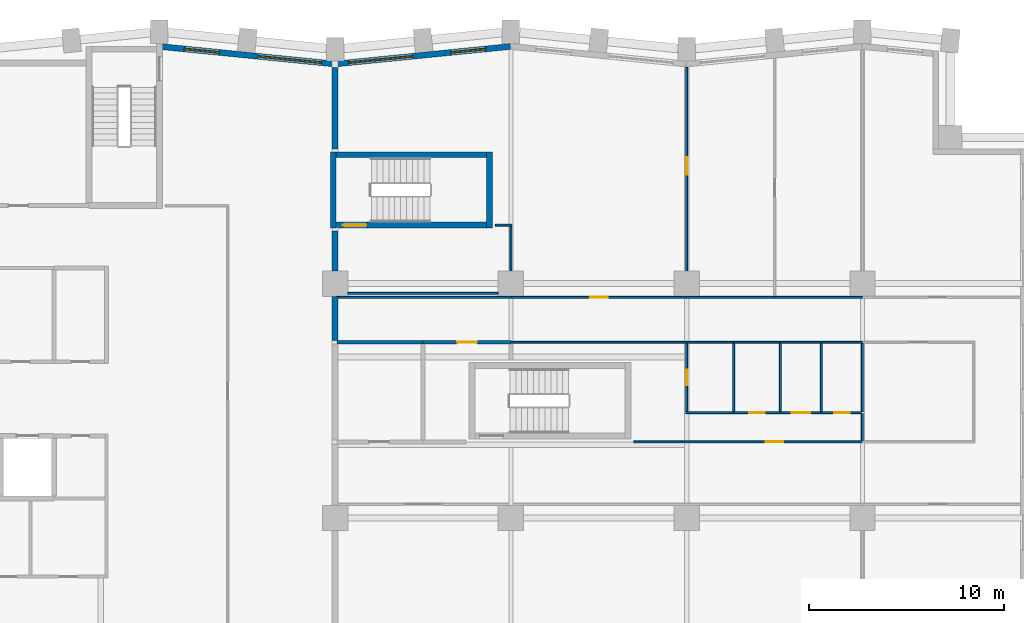
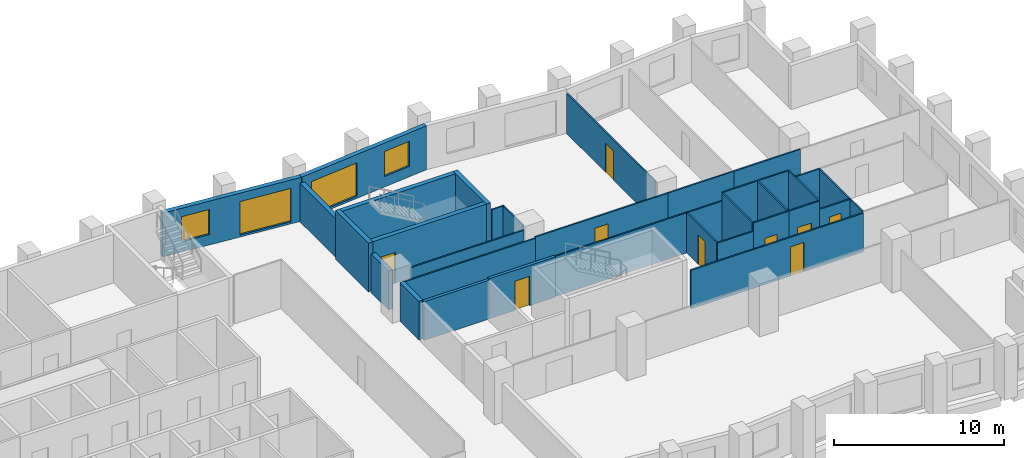
# One storey, part 7 of 11: 35 walls, 9 doors, 4 windows, 13 openings.
"""IFC4 building model written with IfcOpenShell, lengths in metres."""

from ifc_helpers import new_model, si_unit, direction, frame, frame_2d, origin, place, context, subcontext, project, spatial, rectangle, extrude, material, layer, layer_set, type_object, element, fill, save


model = new_model("IFC4")

# Units and contexts
model_context = context("Model", 3, precision=1e-05, world=origin(), true_north=direction((0.0, 1.0)))
body_context = subcontext(model_context, "Body", "Model", "MODEL_VIEW")
ifc_project = project(units=[si_unit("LENGTHUNIT", "METRE"), si_unit("AREAUNIT", "SQUARE_METRE"), si_unit("VOLUMEUNIT", "CUBIC_METRE"), si_unit("PLANEANGLEUNIT", "RADIAN"), si_unit("MASSUNIT", "GRAM", prefix="KILO")], contexts=[model_context])

# Site, building, storey
site_placement = place(None, origin())
site = spatial("IfcSite", under=ifc_project, at=site_placement, CompositionType="ELEMENT")
building_placement = place(site_placement, origin())
building = spatial("IfcBuilding", under=site, at=building_placement, Name="Brondeck Convention Tower", CompositionType="ELEMENT")
storey_placement = place(building_placement, frame((0.0, 0.0, 111.300048828125)))
storey = spatial("IfcBuildingStorey", under=building, at=storey_placement, Name="L26", CompositionType="ELEMENT", Elevation=111.300048828125)

# Walls
ifc_material_1 = material(Name="Concrete compartment wall C30/37", Category="concrete")
ifc_layer_1 = layer(ifc_material_1, 0.300048828125)
ifc_layer_set_1 = layer_set([ifc_layer_1], Name="Compartment wall 300")
wall_type_1 = type_object("IfcWallType", Name="Compartment wall 300", PredefinedType="PARTITIONING", material=ifc_layer_set_1)
wall_1_placement = place(storey_placement, frame((36.0, 48.10009765625, 0.0), z_axis=(0.0, 0.0, 1.0), x_axis=(0.0, 1.0, 0.0)))
element("IfcWall", 1, at=wall_1_placement, inside=storey, type_object=wall_type_1, Name="FLR-L26-W054", PredefinedType="PARTITIONING", context=body_context, shape_type="SweptSolid", body=[
    extrude(rectangle(XDim=2.22998046875, YDim=0.300048828125, at=frame_2d((1.114990234375, 0.0))), origin(), (0.0, 0.0, 1.0), 2.780029296875),
])
wall_2_placement = place(storey_placement, frame((36.0, 51.655029296875, 0.0), z_axis=(0.0, 0.0, 1.0), x_axis=(0.0, 1.0, 0.0)))
element("IfcWall", 2, at=wall_2_placement, inside=storey, type_object=wall_type_1, Name="FLR-L26-W061", PredefinedType="PARTITIONING", context=body_context, shape_type="SweptSolid", body=[
    extrude(rectangle(XDim=2.044921875, YDim=0.300048828125, at=frame_2d((1.0224609375, 0.0))), origin(), (0.0, 0.0, 1.0), 2.780029296875),
])
wall_3_placement = place(storey_placement, frame((36.0, 57.89990234375, 0.0), z_axis=(0.0, 0.0, 1.0), x_axis=(0.0, 1.0, 0.0)))
element("IfcWall", 3, at=wall_3_placement, inside=storey, type_object=wall_type_1, Name="FLR-L26-W066", PredefinedType="PARTITIONING", context=body_context, shape_type="SweptSolid", body=[
    extrude(rectangle(XDim=4.175537109375, YDim=0.300048828125, at=frame_2d((2.087890625, 0.0))), origin(), (0.0, 0.0, 1.0), 2.780029296875),
])

# Wall, openings, windows
ifc_material_2 = material(Name="Precast concrete C50/60 bronze finish", Category="concrete")
ifc_layer_2 = layer(ifc_material_2, 0.070068359375, Name="Bronze precast facing")
ifc_material_3 = material(Name="Mineral wool")
ifc_layer_3 = layer(ifc_material_3, 0.159912109375, Name="Insulation")
ifc_material_4 = material(Name="Concrete C35/45", Category="concrete")
ifc_layer_4 = layer(ifc_material_4, 0.070068359375, Name="Backing")
ifc_layer_set_2 = layer_set([ifc_layer_2, ifc_layer_3, ifc_layer_4], Name="External infill wall, precast concrete C50/60 bronze facing")
wall_type_2 = type_object("IfcWallType", Name="External infill wall, precast concrete C50/60 bronze facing", PredefinedType="SOLIDWALL", material=ifc_layer_set_2)
wall_4_placement = place(storey_placement, frame((35.985107421875, 62.244873046875, 0.0), z_axis=(0.0, 0.0, 1.0), x_axis=(0.995037993253, 0.099495688264, 0.0)))
wall_4 = element("IfcWall", 4, at=wall_4_placement, inside=storey, type_object=wall_type_2, Name="ENV-EW-L26-P0-A-N-09", PredefinedType="SOLIDWALL", context=body_context, shape_type="SweptSolid", body=[
    extrude(rectangle(XDim=9.030029296875, YDim=0.300048828125, at=frame_2d((4.51513671875, 0.0))), origin(), (0.0, 0.0, 1.0), 3.14990234375),
])
opening_1_placement = place(wall_4_placement, frame((0.701171875, 0.0, 0.14990234375)))
opening_1 = element("IfcOpeningElement", 5, at=opening_1_placement, cuts=wall_4, Name="Opening W9", PredefinedType="OPENING", context=body_context, shape_type="SweptSolid", body=[
    extrude(rectangle(XDim=3.300048828125, YDim=2.39990234375, at=frame_2d((1.64990234375, 1.199951171875))), frame((0.0, 0.159912109375, 0.0), z_axis=(0.0, -1.0, 0.0), x_axis=(1.0, 0.0, 0.0)), (0.0, 0.0, 1.0), 0.320068359375),
])
opening_2_placement = place(wall_4_placement, frame((5.9736328125, 0.0, 0.75)))
opening_2 = element("IfcOpeningElement", 6, at=opening_2_placement, cuts=wall_4, Name="Opening W10", PredefinedType="OPENING", context=body_context, shape_type="SweptSolid", body=[
    extrude(rectangle(XDim=1.800048828125, YDim=1.800048828125, at=frame_2d((0.89990234375, 0.89990234375))), frame((0.0, 0.159912109375, 0.0), z_axis=(0.0, -1.0, 0.0), x_axis=(1.0, 0.0, 0.0)), (0.0, 0.0, 1.0), 0.320068359375),
])
ifc_material_5 = material(Name="Bronze tinted double glazing", Category="glass")
window_type_1 = type_object("IfcWindowType", Name="Glazed flute window, bronze tinted", PartitioningType="SINGLE_PANEL", PredefinedType="WINDOW", material=ifc_material_5)
window_1_placement = place(opening_1_placement, origin())
window_1 = element("IfcWindow", 7, at=window_1_placement, inside=storey, type_object=window_type_1, Name="ENV-WN-L26-P0-A-N-08", OverallHeight=2.39990234375, OverallWidth=3.300048828125, PartitioningType="SINGLE_PANEL", PredefinedType="WINDOW", context=body_context, shape_type="SweptSolid", body=[
    extrude(rectangle(XDim=3.300048828125, YDim=2.39990234375, at=frame_2d((1.64990234375, 1.199951171875))), frame((0.0, 0.030029296875, 0.0), z_axis=(0.0, -1.0, 0.0), x_axis=(1.0, 0.0, 0.0)), (0.0, 0.0, 1.0), 0.06005859375),
])
fill(opening_1, window_1)
window_type_2 = type_object("IfcWindowType", Name="Punched window, bronze tinted", PartitioningType="SINGLE_PANEL", PredefinedType="WINDOW", material=ifc_material_5)
window_2_placement = place(opening_2_placement, origin())
window_2 = element("IfcWindow", 8, at=window_2_placement, inside=storey, type_object=window_type_2, Name="ENV-WN-L26-P0-A-N-09", OverallHeight=1.800048828125, OverallWidth=1.800048828125, PartitioningType="SINGLE_PANEL", PredefinedType="WINDOW", context=body_context, shape_type="SweptSolid", body=[
    extrude(rectangle(XDim=1.800048828125, YDim=1.800048828125, at=frame_2d((0.89990234375, 0.89990234375))), frame((0.0, 0.030029296875, 0.0), z_axis=(0.0, -1.0, 0.0), x_axis=(1.0, 0.0, 0.0)), (0.0, 0.0, 1.0), 0.06005859375),
])
fill(opening_2, window_2)

wall_5_placement = place(storey_placement, frame((27.07470703125, 63.138916015625, 0.0), z_axis=(0.0, 0.0, 1.0), x_axis=(0.995036108601, -0.099514534519, 0.0)))
wall_5 = element("IfcWall", 9, at=wall_5_placement, inside=storey, type_object=wall_type_2, Name="ENV-EW-L26-P0-A-N-07", PredefinedType="SOLIDWALL", context=body_context, shape_type="SweptSolid", body=[
    extrude(rectangle(XDim=8.93994140625, YDim=0.300048828125, at=frame_2d((4.469970703125, 0.0))), origin(), (0.0, 0.0, 1.0), 3.14990234375),
])
opening_3_placement = place(wall_5_placement, frame((1.211181640625, 0.0, 0.75)))
opening_3 = element("IfcOpeningElement", 10, at=opening_3_placement, cuts=wall_5, Name="Opening W10", PredefinedType="OPENING", context=body_context, shape_type="SweptSolid", body=[
    extrude(rectangle(XDim=1.800048828125, YDim=1.800048828125, at=frame_2d((0.89990234375, 0.89990234375))), frame((0.0, 0.159912109375, 0.0), z_axis=(0.0, -1.0, 0.0), x_axis=(1.0, 0.0, 0.0)), (0.0, 0.0, 1.0), 0.320068359375),
])
opening_4_placement = place(wall_5_placement, frame((4.983642578125, 0.0, 0.14990234375)))
opening_4 = element("IfcOpeningElement", 11, at=opening_4_placement, cuts=wall_5, Name="Opening W9", PredefinedType="OPENING", context=body_context, shape_type="SweptSolid", body=[
    extrude(rectangle(XDim=3.300048828125, YDim=2.39990234375, at=frame_2d((1.64990234375, 1.199951171875))), frame((0.0, 0.159912109375, 0.0), z_axis=(0.0, -1.0, 0.0), x_axis=(1.0, 0.0, 0.0)), (0.0, 0.0, 1.0), 0.320068359375),
])
window_3_placement = place(opening_4_placement, origin())
window_3 = element("IfcWindow", 12, at=window_3_placement, inside=storey, type_object=window_type_1, Name="ENV-WN-L26-P0-A-N-07", OverallHeight=2.39990234375, OverallWidth=3.300048828125, PartitioningType="SINGLE_PANEL", PredefinedType="WINDOW", context=body_context, shape_type="SweptSolid", body=[
    extrude(rectangle(XDim=3.300048828125, YDim=2.39990234375, at=frame_2d((1.64990234375, 1.199951171875))), frame((0.0, 0.030029296875, 0.0), z_axis=(0.0, -1.0, 0.0), x_axis=(1.0, 0.0, 0.0)), (0.0, 0.0, 1.0), 0.06005859375),
])
fill(opening_4, window_3)
window_4_placement = place(opening_3_placement, origin())
window_4 = element("IfcWindow", 13, at=window_4_placement, inside=storey, type_object=window_type_2, Name="ENV-WN-L26-P0-A-N-06", OverallHeight=1.800048828125, OverallWidth=1.800048828125, PartitioningType="SINGLE_PANEL", PredefinedType="WINDOW", context=body_context, shape_type="SweptSolid", body=[
    extrude(rectangle(XDim=1.800048828125, YDim=1.800048828125, at=frame_2d((0.89990234375, 0.89990234375))), frame((0.0, 0.030029296875, 0.0), z_axis=(0.0, -1.0, 0.0), x_axis=(1.0, 0.0, 0.0)), (0.0, 0.0, 1.0), 0.06005859375),
])
fill(opening_3, window_4)

# Wall
ifc_material_6 = material(Name="Concrete block wall C16/20", Category="concrete")
ifc_layer_5 = layer(ifc_material_6, 0.199951171875)
ifc_layer_set_3 = layer_set([ifc_layer_5], Name="Plant room wall 200")
wall_type_3 = type_object("IfcWallType", Name="Plant room wall 200", PredefinedType="PARTITIONING", material=ifc_layer_set_3)
wall_6_placement = place(storey_placement, frame((40.5, 48.0, 0.0), z_axis=(0.0, 0.0, 1.0), x_axis=(-1.0, 0.0, 0.0)))
element("IfcWall", 14, at=wall_6_placement, inside=storey, type_object=wall_type_3, Name="FLR-L26-W046", PredefinedType="PARTITIONING", context=body_context, shape_type="SweptSolid", body=[
    extrude(rectangle(XDim=4.39990234375, YDim=0.199951171875, at=frame_2d((2.199951171875, 0.0))), origin(), (0.0, 0.0, 1.0), 2.780029296875),
])

# Wall, opening, door
wall_7_placement = place(storey_placement, frame((45.0, 48.0, 0.0), z_axis=(0.0, 0.0, 1.0), x_axis=(-1.0, 0.0, 0.0)))
wall_7 = element("IfcWall", 15, at=wall_7_placement, inside=storey, type_object=wall_type_3, Name="FLR-L26-W047", PredefinedType="PARTITIONING", context=body_context, shape_type="SweptSolid", body=[
    extrude(rectangle(XDim=4.5, YDim=0.199951171875, at=frame_2d((2.25, 0.0))), origin(), (0.0, 0.0, 1.0), 2.8798828125),
])
opening_5_placement = place(wall_7_placement, frame((1.75, 0.0, 0.0)))
opening_5 = element("IfcOpeningElement", 16, at=opening_5_placement, cuts=wall_7, Name="Opening OF-C-003", PredefinedType="OPENING", context=body_context, shape_type="SweptSolid", body=[
    extrude(rectangle(XDim=1.0, YDim=2.10009765625, at=frame_2d((0.5, 1.050048828125))), frame((0.0, 0.10986328125, 0.0), z_axis=(0.0, -1.0, 0.0), x_axis=(1.0, 0.0, 0.0)), (0.0, 0.0, 1.0), 0.219970703125),
])
ifc_material_7 = material(Name="Steel fire door leaf", Category="steel")
door_type_1 = type_object("IfcDoorType", Name="Plant room door 1000", OperationType="NOTDEFINED", PredefinedType="DOOR", material=ifc_material_7)
door_1_placement = place(opening_5_placement, origin())
door_1 = element("IfcDoor", 17, at=door_1_placement, inside=storey, type_object=door_type_1, Name="Door OF-C-003", OperationType="SINGLE_SWING_LEFT", OverallHeight=2.10009765625, OverallWidth=1.0, PredefinedType="DOOR", context=body_context, shape_type="SweptSolid", body=[
    extrude(rectangle(XDim=1.0, YDim=2.10009765625, at=frame_2d((0.5, 1.050048828125))), frame((0.0, 0.02490234375, 0.0), z_axis=(0.0, -1.0, 0.0), x_axis=(1.0, 0.0, 0.0)), (0.0, 0.0, 1.0), 0.050048828125),
])
fill(opening_5, door_1)

ifc_material_8 = material(Name="Gypsum board partition on steel studs", Category="steel")
ifc_layer_6 = layer(ifc_material_8, 0.10009765625)
ifc_layer_set_4 = layer_set([ifc_layer_6], Name="Room partition 100")
wall_type_4 = type_object("IfcWallType", Name="Room partition 100", PredefinedType="PARTITIONING", material=ifc_layer_set_4)
wall_8_placement = place(storey_placement, frame((51.300048828125, 42.89990234375, 0.0), z_axis=(0.0, 0.0, 1.0), x_axis=(1.0, 0.0, 0.0)))
wall_8 = element("IfcWall", 18, at=wall_8_placement, inside=storey, type_object=wall_type_4, Name="FLR-L26-W030", PredefinedType="PARTITIONING", context=body_context, shape_type="SweptSolid", body=[
    extrude(rectangle(XDim=11.699951171875, YDim=0.10009765625, at=frame_2d((5.85009765625, 0.0))), origin(), (0.0, 0.0, 1.0), 2.780029296875),
])
opening_6_placement = place(wall_8_placement, frame((6.75, 0.0, 0.0)))
opening_6 = element("IfcOpeningElement", 19, at=opening_6_placement, cuts=wall_8, Name="Opening OF-C-004", PredefinedType="OPENING", context=body_context, shape_type="SweptSolid", body=[
    extrude(rectangle(XDim=0.89990234375, YDim=2.10009765625, at=frame_2d((0.449951171875, 1.050048828125))), frame((0.0, 0.06005859375, 0.0), z_axis=(0.0, -1.0, 0.0), x_axis=(1.0, 0.0, 0.0)), (0.0, 0.0, 1.0), 0.1201171875),
])
ifc_material_9 = material(Name="Solid timber door leaf", Category="wood")
door_type_2 = type_object("IfcDoorType", Name="Single door 900", OperationType="NOTDEFINED", PredefinedType="DOOR", material=ifc_material_9)
door_2_placement = place(opening_6_placement, origin())
door_2 = element("IfcDoor", 20, at=door_2_placement, inside=storey, type_object=door_type_2, Name="Door OF-C-004", OperationType="SINGLE_SWING_LEFT", OverallHeight=2.10009765625, OverallWidth=0.89990234375, PredefinedType="DOOR", context=body_context, shape_type="SweptSolid", body=[
    extrude(rectangle(XDim=0.89990234375, YDim=2.10009765625, at=frame_2d((0.449951171875, 1.050048828125))), frame((0.0, 0.02490234375, 0.0), z_axis=(0.0, -1.0, 0.0), x_axis=(1.0, 0.0, 0.0)), (0.0, 0.0, 1.0), 0.050048828125),
])
fill(opening_6, door_2)

# Walls
wall_9_placement = place(storey_placement, frame((63.0, 44.35009765625, 0.0), z_axis=(0.0, 0.0, 1.0), x_axis=(0.0, -1.0, 0.0)))
element("IfcWall", 21, at=wall_9_placement, inside=storey, type_object=wall_type_4, Name="FLR-L26-W034", PredefinedType="PARTITIONING", context=body_context, shape_type="SweptSolid", body=[
    extrude(rectangle(XDim=1.400146484375, YDim=0.10009765625, at=frame_2d((0.7001953125, 0.0))), origin(), (0.0, 0.0, 1.0), 2.8798828125),
])
wall_10_placement = place(storey_placement, frame((53.949951171875, 44.39990234375, 0.0), z_axis=(0.0, 0.0, 1.0), x_axis=(1.0, 0.0, 0.0)))
element("IfcWall", 22, at=wall_10_placement, inside=storey, type_object=wall_type_4, Name="FLR-L26-W035", PredefinedType="PARTITIONING", context=body_context, shape_type="SweptSolid", body=[
    extrude(rectangle(XDim=2.449951171875, YDim=0.10009765625, at=frame_2d((1.22509765625, 0.0))), origin(), (0.0, 0.0, 1.0), 2.8798828125),
])

# Wall, opening, door
wall_11_placement = place(storey_placement, frame((56.39990234375, 44.39990234375, 0.0), z_axis=(0.0, 0.0, 1.0), x_axis=(1.0, 0.0, 0.0)))
wall_11 = element("IfcWall", 23, at=wall_11_placement, inside=storey, type_object=wall_type_4, Name="FLR-L26-W036", PredefinedType="PARTITIONING", context=body_context, shape_type="SweptSolid", body=[
    extrude(rectangle(XDim=2.400146484375, YDim=0.10009765625, at=frame_2d((1.2001953125, 0.0))), origin(), (0.0, 0.0, 1.0), 3.47998046875),
])
opening_7_placement = place(wall_11_placement, frame((0.800048828125, 0.0, 0.0)))
opening_7 = element("IfcOpeningElement", 24, at=opening_7_placement, cuts=wall_11, Name="Opening OF-C-006", PredefinedType="OPENING", context=body_context, shape_type="SweptSolid", body=[
    extrude(rectangle(XDim=0.800048828125, YDim=2.10009765625, at=frame_2d((0.39990234375, 1.050048828125))), frame((0.0, 0.06005859375, 0.0), z_axis=(0.0, -1.0, 0.0), x_axis=(1.0, 0.0, 0.0)), (0.0, 0.0, 1.0), 0.1201171875),
])
door_type_3 = type_object("IfcDoorType", Name="En-suite door 800", OperationType="NOTDEFINED", PredefinedType="DOOR", material=ifc_material_9)
door_3_placement = place(opening_7_placement, origin())
door_3 = element("IfcDoor", 25, at=door_3_placement, inside=storey, type_object=door_type_3, Name="Door OF-C-006", OperationType="SINGLE_SWING_RIGHT", OverallHeight=2.10009765625, OverallWidth=0.800048828125, PredefinedType="DOOR", context=body_context, shape_type="SweptSolid", body=[
    extrude(rectangle(XDim=0.800048828125, YDim=2.10009765625, at=frame_2d((0.39990234375, 1.050048828125))), frame((0.0, 0.02490234375, 0.0), z_axis=(0.0, -1.0, 0.0), x_axis=(1.0, 0.0, 0.0)), (0.0, 0.0, 1.0), 0.050048828125),
])
fill(opening_7, door_3)

wall_12_placement = place(storey_placement, frame((58.800048828125, 44.39990234375, 0.0), z_axis=(0.0, 0.0, 1.0), x_axis=(1.0, 0.0, 0.0)))
wall_12 = element("IfcWall", 26, at=wall_12_placement, inside=storey, type_object=wall_type_4, Name="FLR-L26-W037", PredefinedType="PARTITIONING", context=body_context, shape_type="SweptSolid", body=[
    extrude(rectangle(XDim=2.099853515625, YDim=0.10009765625, at=frame_2d((1.0498046875, 0.0))), origin(), (0.0, 0.0, 1.0), 3.47998046875),
])
opening_8_placement = place(wall_12_placement, frame((0.574951171875, 0.0, 0.0)))
opening_8 = element("IfcOpeningElement", 27, at=opening_8_placement, cuts=wall_12, Name="Opening OF-C-007", PredefinedType="OPENING", context=body_context, shape_type="SweptSolid", body=[
    extrude(rectangle(XDim=0.949951171875, YDim=2.10009765625, at=frame_2d((0.47509765625, 1.050048828125))), frame((0.0, 0.06005859375, 0.0), z_axis=(0.0, -1.0, 0.0), x_axis=(1.0, 0.0, 0.0)), (0.0, 0.0, 1.0), 0.1201171875),
])
door_type_4 = type_object("IfcDoorType", Name="Accessible door 950", OperationType="NOTDEFINED", PredefinedType="DOOR", material=ifc_material_9)
door_4_placement = place(opening_8_placement, origin())
door_4 = element("IfcDoor", 28, at=door_4_placement, inside=storey, type_object=door_type_4, Name="Door OF-C-007", OperationType="SINGLE_SWING_LEFT", OverallHeight=2.10009765625, OverallWidth=0.949951171875, PredefinedType="DOOR", context=body_context, shape_type="SweptSolid", body=[
    extrude(rectangle(XDim=0.949951171875, YDim=2.10009765625, at=frame_2d((0.47509765625, 1.050048828125))), frame((0.0, 0.02490234375, 0.0), z_axis=(0.0, -1.0, 0.0), x_axis=(1.0, 0.0, 0.0)), (0.0, 0.0, 1.0), 0.050048828125),
])
fill(opening_8, door_4)

wall_13_placement = place(storey_placement, frame((60.89990234375, 44.39990234375, 0.0), z_axis=(0.0, 0.0, 1.0), x_axis=(1.0, 0.0, 0.0)))
wall_13 = element("IfcWall", 29, at=wall_13_placement, inside=storey, type_object=wall_type_4, Name="FLR-L26-W038", PredefinedType="PARTITIONING", context=body_context, shape_type="SweptSolid", body=[
    extrude(rectangle(XDim=2.050048828125, YDim=0.10009765625, at=frame_2d((1.02490234375, 0.0))), origin(), (0.0, 0.0, 1.0), 2.8798828125),
])
opening_9_placement = place(wall_13_placement, frame((0.64990234375, 0.0, 0.0)))
opening_9 = element("IfcOpeningElement", 30, at=opening_9_placement, cuts=wall_13, Name="Opening OF-C-008", PredefinedType="OPENING", context=body_context, shape_type="SweptSolid", body=[
    extrude(rectangle(XDim=0.800048828125, YDim=2.10009765625, at=frame_2d((0.39990234375, 1.050048828125))), frame((0.0, 0.06005859375, 0.0), z_axis=(0.0, -1.0, 0.0), x_axis=(1.0, 0.0, 0.0)), (0.0, 0.0, 1.0), 0.1201171875),
])
ifc_material_10 = material(Name="Steel service door leaf", Category="steel")
door_type_5 = type_object("IfcDoorType", Name="Service door 800", OperationType="NOTDEFINED", PredefinedType="DOOR", material=ifc_material_10)
door_5_placement = place(opening_9_placement, origin())
door_5 = element("IfcDoor", 31, at=door_5_placement, inside=storey, type_object=door_type_5, Name="Door OF-C-008", OperationType="SINGLE_SWING_RIGHT", OverallHeight=2.10009765625, OverallWidth=0.800048828125, PredefinedType="DOOR", context=body_context, shape_type="SweptSolid", body=[
    extrude(rectangle(XDim=0.800048828125, YDim=2.10009765625, at=frame_2d((0.39990234375, 1.050048828125))), frame((0.0, 0.02490234375, 0.0), z_axis=(0.0, -1.0, 0.0), x_axis=(1.0, 0.0, 0.0)), (0.0, 0.0, 1.0), 0.050048828125),
])
fill(opening_9, door_5)

wall_14_placement = place(storey_placement, frame((54.0, 47.949951171875, 0.0), z_axis=(0.0, 0.0, 1.0), x_axis=(0.0, -1.0, 0.0)))
wall_14 = element("IfcWall", 32, at=wall_14_placement, inside=storey, type_object=wall_type_4, Name="FLR-L26-W041", PredefinedType="PARTITIONING", context=body_context, shape_type="SweptSolid", body=[
    extrude(rectangle(XDim=3.5, YDim=0.10009765625, at=frame_2d((1.75, 0.0))), origin(), (0.0, 0.0, 1.0), 2.8798828125),
])
opening_10_placement = place(wall_14_placement, frame((1.35009765625, 0.0, 0.0)))
opening_10 = element("IfcOpeningElement", 33, at=opening_10_placement, cuts=wall_14, Name="Opening OF-C-005", PredefinedType="OPENING", context=body_context, shape_type="SweptSolid", body=[
    extrude(rectangle(XDim=0.800048828125, YDim=2.10009765625, at=frame_2d((0.39990234375, 1.050048828125))), frame((0.0, 0.06005859375, 0.0), z_axis=(0.0, -1.0, 0.0), x_axis=(1.0, 0.0, 0.0)), (0.0, 0.0, 1.0), 0.1201171875),
])
door_6_placement = place(opening_10_placement, origin())
door_6 = element("IfcDoor", 34, at=door_6_placement, inside=storey, type_object=door_type_3, Name="Door OF-C-005", OperationType="SINGLE_SWING_LEFT", OverallHeight=2.10009765625, OverallWidth=0.800048828125, PredefinedType="DOOR", context=body_context, shape_type="SweptSolid", body=[
    extrude(rectangle(XDim=0.800048828125, YDim=2.10009765625, at=frame_2d((0.39990234375, 1.050048828125))), frame((0.0, 0.02490234375, 0.0), z_axis=(0.0, -1.0, 0.0), x_axis=(1.0, 0.0, 0.0)), (0.0, 0.0, 1.0), 0.050048828125),
])
fill(opening_10, door_6)

# Walls
for number, where, z_axis, x_axis, name in (
    (35, (56.39990234375, 47.949951171875, 0.0), (0.0, 0.0, 1.0), (0.0, -1.0, 0.0), "FLR-L26-W042"),
    (36, (58.800048828125, 47.949951171875, 0.0), (0.0, 0.0, 1.0), (0.0, -1.0, 0.0), "FLR-L26-W043"),
    (37, (60.89990234375, 47.949951171875, 0.0), (0.0, 0.0, 1.0), (0.0, -1.0, 0.0), "FLR-L26-W044"),
):
    element("IfcWall", number, at=place(storey_placement, frame(where, z_axis=z_axis, x_axis=x_axis)), inside=storey, type_object=wall_type_4, Name=name, PredefinedType="PARTITIONING", context=body_context, shape_type="SweptSolid", body=[
        extrude(rectangle(XDim=3.5, YDim=0.10009765625, at=frame_2d((1.75, 0.0))), origin(), (0.0, 0.0, 1.0), 3.47998046875),
    ])
wall_15_placement = place(storey_placement, frame((63.0, 47.949951171875, 0.0), z_axis=(0.0, 0.0, 1.0), x_axis=(0.0, -1.0, 0.0)))
element("IfcWall", 38, at=wall_15_placement, inside=storey, type_object=wall_type_4, Name="FLR-L26-W045", PredefinedType="PARTITIONING", context=body_context, shape_type="SweptSolid", body=[
    extrude(rectangle(XDim=3.5, YDim=0.10009765625, at=frame_2d((1.75, 0.0))), origin(), (0.0, 0.0, 1.0), 2.8798828125),
])
wall_16_placement = place(storey_placement, frame((54.0, 48.0, 0.0), z_axis=(0.0, 0.0, 1.0), x_axis=(-1.0, 0.0, 0.0)))
element("IfcWall", 39, at=wall_16_placement, inside=storey, type_object=wall_type_4, Name="FLR-L26-W048", PredefinedType="PARTITIONING", context=body_context, shape_type="SweptSolid", body=[
    extrude(rectangle(XDim=9.0, YDim=0.10009765625, at=frame_2d((4.5, 0.0))), origin(), (0.0, 0.0, 1.0), 2.8798828125),
])
wall_17_placement = place(storey_placement, frame((56.39990234375, 48.0, 0.0), z_axis=(0.0, 0.0, 1.0), x_axis=(-1.0, 0.0, 0.0)))
element("IfcWall", 40, at=wall_17_placement, inside=storey, type_object=wall_type_4, Name="FLR-L26-W049", PredefinedType="PARTITIONING", context=body_context, shape_type="SweptSolid", body=[
    extrude(rectangle(XDim=2.39990234375, YDim=0.10009765625, at=frame_2d((1.199951171875, 0.0))), origin(), (0.0, 0.0, 1.0), 2.8798828125),
])
wall_18_placement = place(storey_placement, frame((58.800048828125, 48.0, 0.0), z_axis=(0.0, 0.0, 1.0), x_axis=(-1.0, 0.0, 0.0)))
element("IfcWall", 41, at=wall_18_placement, inside=storey, type_object=wall_type_4, Name="FLR-L26-W050", PredefinedType="PARTITIONING", context=body_context, shape_type="SweptSolid", body=[
    extrude(rectangle(XDim=2.400146484375, YDim=0.10009765625, at=frame_2d((1.2001953125, 0.0))), origin(), (0.0, 0.0, 1.0), 3.47998046875),
])
wall_19_placement = place(storey_placement, frame((60.89990234375, 48.0, 0.0), z_axis=(0.0, 0.0, 1.0), x_axis=(-1.0, 0.0, 0.0)))
element("IfcWall", 42, at=wall_19_placement, inside=storey, type_object=wall_type_4, Name="FLR-L26-W051", PredefinedType="PARTITIONING", context=body_context, shape_type="SweptSolid", body=[
    extrude(rectangle(XDim=2.099853515625, YDim=0.10009765625, at=frame_2d((1.0498046875, 0.0))), origin(), (0.0, 0.0, 1.0), 3.47998046875),
])
wall_20_placement = place(storey_placement, frame((63.0, 48.0, 0.0), z_axis=(0.0, 0.0, 1.0), x_axis=(-1.0, 0.0, 0.0)))
element("IfcWall", 43, at=wall_20_placement, inside=storey, type_object=wall_type_4, Name="FLR-L26-W052", PredefinedType="PARTITIONING", context=body_context, shape_type="SweptSolid", body=[
    extrude(rectangle(XDim=2.10009765625, YDim=0.10009765625, at=frame_2d((1.050048828125, 0.0))), origin(), (0.0, 0.0, 1.0), 2.8798828125),
])
wall_21_placement = place(storey_placement, frame((36.050048828125, 50.300048828125, 0.0), z_axis=(0.0, 0.0, 1.0), x_axis=(1.0, 0.0, 0.0)))
element("IfcWall", 44, at=wall_21_placement, inside=storey, type_object=wall_type_4, Name="FLR-L26-W055", PredefinedType="PARTITIONING", context=body_context, shape_type="SweptSolid", body=[
    extrude(rectangle(XDim=8.949951171875, YDim=0.10009765625, at=frame_2d((4.47509765625, 0.0))), origin(), (0.0, 0.0, 1.0), 2.780029296875),
])

# Wall, opening, door
wall_22_placement = place(storey_placement, frame((45.0, 50.300048828125, 0.0), z_axis=(0.0, 0.0, 1.0), x_axis=(1.0, 0.0, 0.0)))
wall_22 = element("IfcWall", 45, at=wall_22_placement, inside=storey, type_object=wall_type_4, Name="FLR-L26-W056", PredefinedType="PARTITIONING", context=body_context, shape_type="SweptSolid", body=[
    extrude(rectangle(XDim=9.0, YDim=0.10009765625, at=frame_2d((4.5, 0.0))), origin(), (0.0, 0.0, 1.0), 2.8798828125),
])
opening_11_placement = place(wall_22_placement, frame((4.050048828125, 0.0, 0.0)))
opening_11 = element("IfcOpeningElement", 46, at=opening_11_placement, cuts=wall_22, Name="Opening OF-C-012", PredefinedType="OPENING", context=body_context, shape_type="SweptSolid", body=[
    extrude(rectangle(XDim=0.89990234375, YDim=2.10009765625, at=frame_2d((0.449951171875, 1.050048828125))), frame((0.0, 0.06005859375, 0.0), z_axis=(0.0, -1.0, 0.0), x_axis=(1.0, 0.0, 0.0)), (0.0, 0.0, 1.0), 0.1201171875),
])
door_7_placement = place(opening_11_placement, origin())
door_7 = element("IfcDoor", 47, at=door_7_placement, inside=storey, type_object=door_type_2, Name="Door OF-C-012", OperationType="SINGLE_SWING_LEFT", OverallHeight=2.10009765625, OverallWidth=0.89990234375, PredefinedType="DOOR", context=body_context, shape_type="SweptSolid", body=[
    extrude(rectangle(XDim=0.89990234375, YDim=2.10009765625, at=frame_2d((0.449951171875, 1.050048828125))), frame((0.0, 0.02490234375, 0.0), z_axis=(0.0, -1.0, 0.0), x_axis=(1.0, 0.0, 0.0)), (0.0, 0.0, 1.0), 0.050048828125),
])
fill(opening_11, door_7)

# Walls
for number, where, z_axis, x_axis, name in (
    (48, (54.0, 50.300048828125, 0.0), (0.0, 0.0, 1.0), (1.0, 0.0, 0.0), "FLR-L26-W057"),
    (49, (58.5, 50.300048828125, 0.0), (0.0, 0.0, 1.0), (1.0, 0.0, 0.0), "FLR-L26-W058"),
):
    element("IfcWall", number, at=place(storey_placement, frame(where, z_axis=z_axis, x_axis=x_axis)), inside=storey, type_object=wall_type_4, Name=name, PredefinedType="PARTITIONING", context=body_context, shape_type="SweptSolid", body=[
        extrude(rectangle(XDim=4.5, YDim=0.10009765625, at=frame_2d((2.25, 0.0))), origin(), (0.0, 0.0, 1.0), 2.8798828125),
    ])
wall_23_placement = place(storey_placement, frame((44.344970703125, 50.5, 0.0), z_axis=(0.0, 0.0, 1.0), x_axis=(-1.0, 0.0, 0.0)))
element("IfcWall", 50, at=wall_23_placement, inside=storey, type_object=wall_type_4, Name="FLR-L26-W060", PredefinedType="PARTITIONING", context=body_context, shape_type="SweptSolid", body=[
    extrude(rectangle(XDim=7.68994140625, YDim=0.10009765625, at=frame_2d((3.844970703125, 0.0))), origin(), (0.0, 0.0, 1.0), 3.47998046875),
])
wall_24_placement = place(storey_placement, frame((45.0, 53.949951171875, 0.0), z_axis=(0.0, 0.0, 1.0), x_axis=(0.0, -1.0, 0.0)))
element("IfcWall", 51, at=wall_24_placement, inside=storey, type_object=wall_type_4, Name="FLR-L26-W062", PredefinedType="PARTITIONING", context=body_context, shape_type="SweptSolid", body=[
    extrude(rectangle(XDim=2.294921875, YDim=0.10009765625, at=frame_2d((1.1474609375, 0.0))), origin(), (0.0, 0.0, 1.0), 2.8798828125),
])
wall_25_placement = place(storey_placement, frame((44.199951171875, 54.0, 0.0), z_axis=(0.0, 0.0, 1.0), x_axis=(1.0, 0.0, 0.0)))
element("IfcWall", 52, at=wall_25_placement, inside=storey, type_object=wall_type_4, Name="FLR-L26-W063", PredefinedType="PARTITIONING", context=body_context, shape_type="SweptSolid", body=[
    extrude(rectangle(XDim=0.85009765625, YDim=0.10009765625, at=frame_2d((0.425048828125, 0.0))), origin(), (0.0, 0.0, 1.0), 2.8798828125),
])

# Wall, opening, door
wall_26_placement = place(storey_placement, frame((54.0, 62.075439453125, 0.0), z_axis=(0.0, 0.0, 1.0), x_axis=(0.0, -1.0, 0.0)))
wall_26 = element("IfcWall", 53, at=wall_26_placement, inside=storey, type_object=wall_type_4, Name="FLR-L26-W067", PredefinedType="PARTITIONING", context=body_context, shape_type="SweptSolid", body=[
    extrude(rectangle(XDim=10.42041015625, YDim=0.10009765625, at=frame_2d((5.210205078125, 0.0))), origin(), (0.0, 0.0, 1.0), 2.8798828125),
])
opening_12_placement = place(wall_26_placement, frame((4.6005859375, 0.0, 0.0)))
opening_12 = element("IfcOpeningElement", 54, at=opening_12_placement, cuts=wall_26, Name="Opening OF-C-013", PredefinedType="OPENING", context=body_context, shape_type="SweptSolid", body=[
    extrude(rectangle(XDim=0.89990234375, YDim=2.10009765625, at=frame_2d((0.449951171875, 1.050048828125))), frame((0.0, 0.06005859375, 0.0), z_axis=(0.0, -1.0, 0.0), x_axis=(1.0, 0.0, 0.0)), (0.0, 0.0, 1.0), 0.1201171875),
])
door_8_placement = place(opening_12_placement, origin())
door_8 = element("IfcDoor", 55, at=door_8_placement, inside=storey, type_object=door_type_2, Name="Door OF-C-013", OperationType="SINGLE_SWING_RIGHT", OverallHeight=2.10009765625, OverallWidth=0.89990234375, PredefinedType="DOOR", context=body_context, shape_type="SweptSolid", body=[
    extrude(rectangle(XDim=0.89990234375, YDim=2.10009765625, at=frame_2d((0.449951171875, 1.050048828125))), frame((0.0, 0.02490234375, 0.0), z_axis=(0.0, -1.0, 0.0), x_axis=(1.0, 0.0, 0.0)), (0.0, 0.0, 1.0), 0.050048828125),
])
fill(opening_12, door_8)

ifc_material_11 = material(Name="Concrete C70/85", Category="concrete")
ifc_layer_7 = layer(ifc_material_11, 0.300048828125)
ifc_layer_set_5 = layer_set([ifc_layer_7], Name="Stair enclosure wall 300 Concrete C70/85")
wall_type_5 = type_object("IfcWallType", Name="Stair enclosure wall 300 Concrete C70/85", PredefinedType="SHEAR", material=ifc_layer_set_5)
wall_27_placement = place(storey_placement, frame((36.050048828125, 54.0, 0.0), z_axis=(0.0, 0.0, 1.0), x_axis=(1.0, 0.0, 0.0)))
wall_27 = element("IfcWall", 56, at=wall_27_placement, inside=storey, type_object=wall_type_5, Name="L26 core wall", PredefinedType="SHEAR", context=body_context, shape_type="SweptSolid", body=[
    extrude(rectangle(XDim=7.699951171875, YDim=0.300048828125, at=frame_2d((3.85009765625, 0.0))), origin(), (0.0, 0.0, 1.0), 3.5),
])
opening_13_placement = place(wall_27_placement, frame((0.35009765625, 0.0, 0.0)))
opening_13 = element("IfcOpeningElement", 57, at=opening_13_placement, cuts=wall_27, Name="Opening C16-20", PredefinedType="OPENING", context=body_context, shape_type="SweptSolid", body=[
    extrude(rectangle(XDim=1.199951171875, YDim=2.199951171875, at=frame_2d((0.60009765625, 1.10009765625))), frame((0.0, 0.159912109375, 0.0), z_axis=(0.0, -1.0, 0.0), x_axis=(1.0, 0.0, 0.0)), (0.0, 0.0, 1.0), 0.320068359375),
])
ifc_material_12 = material(Name="Steel fire door", Category="steel")
door_type_6 = type_object("IfcDoorType", Name="Stair door 1200x2200 EI 90", OperationType="NOTDEFINED", PredefinedType="DOOR", material=ifc_material_12)
door_9_placement = place(opening_13_placement, origin())
door_9 = element("IfcDoor", 58, at=door_9_placement, inside=storey, type_object=door_type_6, Name="L26 Stair door ST-AE", OperationType="SINGLE_SWING_LEFT", OverallHeight=2.199951171875, OverallWidth=1.199951171875, PredefinedType="DOOR", context=body_context, shape_type="SweptSolid", body=[
    extrude(rectangle(XDim=1.199951171875, YDim=2.199951171875, at=frame_2d((0.60009765625, 1.10009765625))), frame((0.0, 0.02490234375, 0.0), z_axis=(0.0, -1.0, 0.0), x_axis=(1.0, 0.0, 0.0)), (0.0, 0.0, 1.0), 0.050048828125),
])
fill(opening_13, door_9)

# Walls
wall_28_placement = place(storey_placement, frame((36.050048828125, 57.60009765625, 0.0), z_axis=(0.0, 0.0, 1.0), x_axis=(1.0, 0.0, 0.0)))
element("IfcWall", 59, at=wall_28_placement, inside=storey, type_object=wall_type_5, Name="L26 core wall", PredefinedType="SHEAR", context=body_context, shape_type="SweptSolid", body=[
    extrude(rectangle(XDim=7.699951171875, YDim=0.300048828125, at=frame_2d((3.85009765625, 0.0))), origin(), (0.0, 0.0, 1.0), 3.5),
])
for number, where, z_axis, x_axis, name in (
    (60, (35.89990234375, 53.85009765625, 0.0), (0.0, 0.0, 1.0), (0.0, 1.0, 0.0), "L26 core wall"),
    (61, (43.89990234375, 53.85009765625, 0.0), (0.0, 0.0, 1.0), (0.0, 1.0, 0.0), "L26 core wall"),
):
    element("IfcWall", number, at=place(storey_placement, frame(where, z_axis=z_axis, x_axis=x_axis)), inside=storey, type_object=wall_type_5, Name=name, PredefinedType="SHEAR", context=body_context, shape_type="SweptSolid", body=[
        extrude(rectangle(XDim=3.89990234375, YDim=0.300048828125, at=frame_2d((1.949951171875, 0.0))), origin(), (0.0, 0.0, 1.0), 3.5),
    ])

save(model, "model.ifc")
